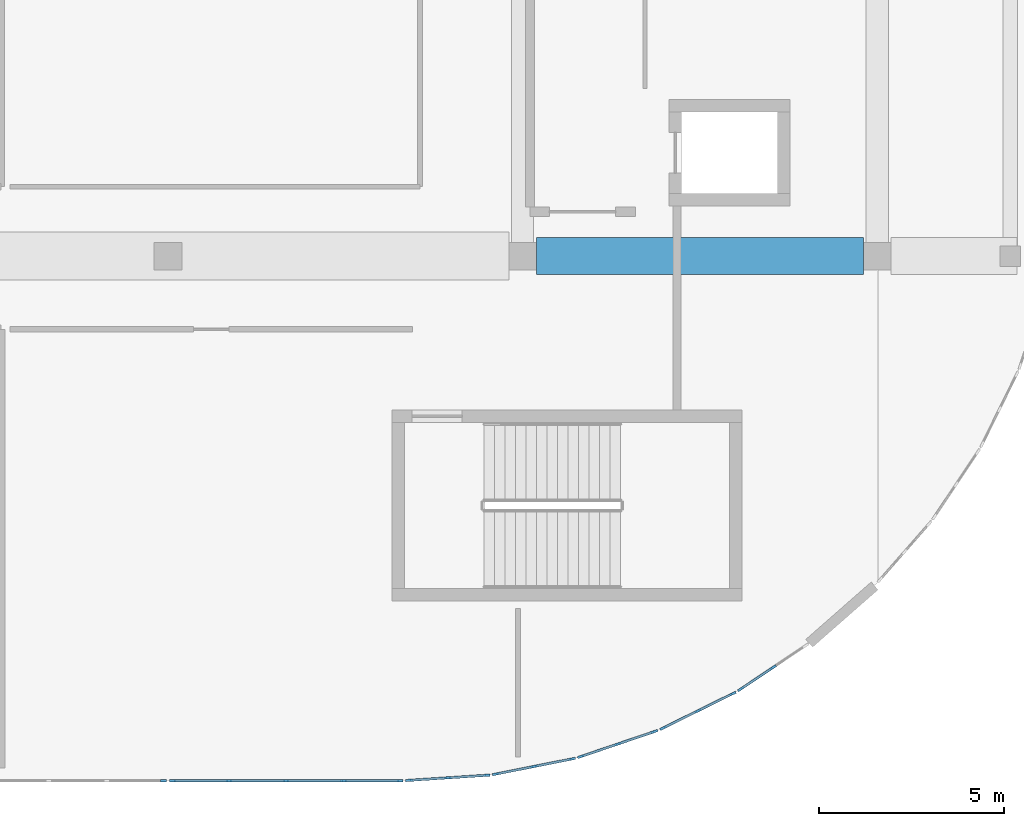
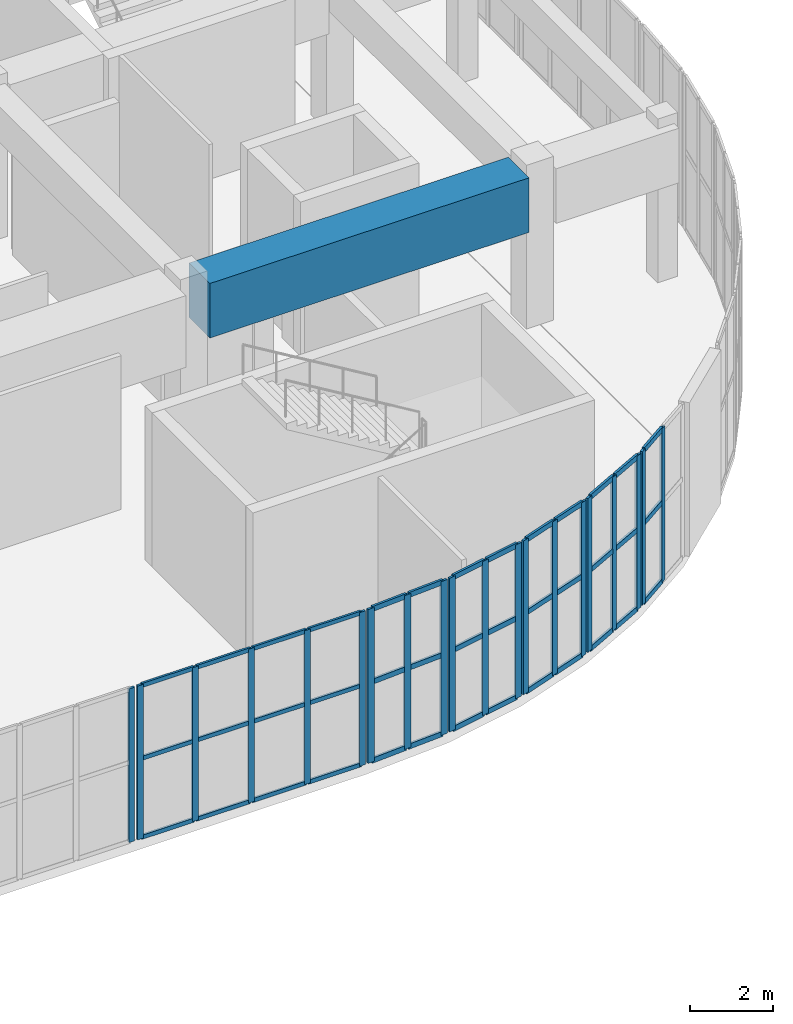
# One storey, part 7 of 28: 59 members, 1 beam, 7 elements without a shape of their own.
"""IFC4 building model written with IfcOpenShell, lengths in metres."""

from ifc_helpers import new_model, si_unit, direction, frame, origin, origin_2d, place, context, subcontext, project, spatial, rectangle, extrude, material, layer, layer_set, material_profile, profile_set, type_object, element, aggregate, save


model = new_model("IFC4")

# Units and contexts
model_context = context("Model", 3, precision=1e-05, world=origin(), true_north=direction((0.0, 1.0)))
body_context = subcontext(model_context, "Body", "Model", "MODEL_VIEW")
ifc_project = project(units=[si_unit("LENGTHUNIT", "METRE"), si_unit("AREAUNIT", "SQUARE_METRE"), si_unit("VOLUMEUNIT", "CUBIC_METRE"), si_unit("PLANEANGLEUNIT", "RADIAN"), si_unit("MASSUNIT", "GRAM", prefix="KILO")], contexts=[model_context])

# Site, building, storey
site_placement = place(None, origin())
site = spatial("IfcSite", under=ifc_project, at=site_placement, CompositionType="ELEMENT")
building_placement = place(site_placement, origin())
building = spatial("IfcBuilding", under=site, at=building_placement, Name="Cendralis Terraced Arcade", CompositionType="ELEMENT")
storey_placement = place(building_placement, frame((0.0, 0.0, 24.60009765625)))
storey = spatial("IfcBuildingStorey", under=building, at=storey_placement, Name="L05", CompositionType="ELEMENT", Elevation=24.60009765625)

# Beam
ifc_material_1 = material(Name="Concrete f'c 42 MPa", Category="concrete")
ifc_material_profile_1 = material_profile(ifc_material_1, rectangle(XDim=1.0, YDim=1.60009765625, at=origin_2d()), Name="RC-TG-1000x1600", Category="LoadBearing")
ifc_profile_set_1 = profile_set([ifc_material_profile_1], Name="Concrete f'c 42 MPa")
beam_type = type_object("IfcBeamType", Name="BM-TG-1000x1600", PredefinedType="USERDEFINED", material=ifc_profile_set_1)
beam_placement = place(storey_placement, frame((48.375, 19.199951171875, 3.7099609375), z_axis=(1.0, 0.0, 0.0), x_axis=(0.0, 1.0, 0.0)))
element("IfcBeam", 1, at=beam_placement, inside=storey, type_object=beam_type, Name="Reinforced Concrete Transfer Girder TG-L06-C-BACK", ObjectType="TRANSFER GIRDER", PredefinedType="USERDEFINED", context=body_context, shape_type="SweptSolid", body=[
    extrude(rectangle(XDim=1.0, YDim=1.60009765625, at=origin_2d()), origin(), (0.0, 0.0, 1.0), 8.85009765625),
])

# Curtain wall, members
ifc_material_2 = material(Name="Anodised aluminium EN AW-6063 T6", Category="aluminium")
ifc_layer_1 = layer(ifc_material_2, 0.179931640625, Name="CW-UNIT-A")
ifc_layer_set_1 = layer_set([ifc_layer_1], Name="Anodised aluminium EN AW-6063 T6")
curtain_wall_type_1 = type_object("IfcCurtainWallType", Name="CW-UNIT-A", PredefinedType="USERDEFINED", material=ifc_layer_set_1)
curtain_wall_1_placement = place(storey_placement, origin())
curtain_wall_1 = element("IfcCurtainWall", 2, at=curtain_wall_1_placement, inside=storey, type_object=curtain_wall_type_1, Name="Exterior Unitised Facade CW-L05-0409", ObjectType="UNITISED FACADE", PredefinedType="USERDEFINED")
ifc_material_profile_2 = material_profile(ifc_material_2, rectangle(XDim=0.06494140625, YDim=0.179931640625, at=origin_2d()), Name="ALU-MUL-65x180")
ifc_profile_set_2 = profile_set([ifc_material_profile_2], Name="Anodised aluminium EN AW-6063 T6")
member_type_1 = type_object("IfcMemberType", Name="CW-UNIT-A-MUL", PredefinedType="MULLION", material=ifc_profile_set_2)
member_1_placement = place(storey_placement, frame((54.77880859375, 8.0654296875, 0.0), z_axis=(0.0, 0.0, 1.0), x_axis=(0.555559488738, -0.831476791301, 0.0)))
member_1 = element("IfcMember", 3, at=member_1_placement, type_object=member_type_1, Name="CW-U1 mullion 2", PredefinedType="MULLION", context=body_context, shape_type="SweptSolid", body=[
    extrude(rectangle(XDim=0.06494140625, YDim=0.179931640625, at=origin_2d()), origin(), (0.0, 0.0, 1.0), 4.510009765625),
])
member_2_placement = place(storey_placement, frame((53.90185546875, 7.4794921875, 0.0), z_axis=(0.0, 0.0, 1.0), x_axis=(0.555559488738, -0.831476791301, 0.0)))
member_2 = element("IfcMember", 4, at=member_2_placement, type_object=member_type_1, Name="CW-U1 mullion 3", PredefinedType="MULLION", context=body_context, shape_type="SweptSolid", body=[
    extrude(rectangle(XDim=0.06494140625, YDim=0.179931640625, at=origin_2d()), origin(), (0.0, 0.0, 1.0), 4.510009765625),
])

curtain_wall_2_placement = place(storey_placement, origin())
curtain_wall_2 = element("IfcCurtainWall", 5, at=curtain_wall_2_placement, inside=storey, type_object=curtain_wall_type_1, Name="Exterior Unitised Facade CW-L05-0410", ObjectType="UNITISED FACADE", PredefinedType="USERDEFINED")
member_3_placement = place(storey_placement, frame((53.690185546875, 7.357421875, 0.0), z_axis=(0.0, 0.0, 1.0), x_axis=(0.442258533133, -0.896887612731, 0.0)))
member_3 = element("IfcMember", 6, at=member_3_placement, type_object=member_type_1, Name="CW-U1 mullion 1", PredefinedType="MULLION", context=body_context, shape_type="SweptSolid", body=[
    extrude(rectangle(XDim=0.06494140625, YDim=0.179931640625, at=origin_2d()), origin(), (0.0, 0.0, 1.0), 4.510009765625),
])
member_4_placement = place(storey_placement, frame((52.744140625, 6.890869140625, 0.0), z_axis=(0.0, 0.0, 1.0), x_axis=(0.442258533133, -0.896887612731, 0.0)))
member_4 = element("IfcMember", 7, at=member_4_placement, type_object=member_type_1, Name="CW-U1 mullion 2", PredefinedType="MULLION", context=body_context, shape_type="SweptSolid", body=[
    extrude(rectangle(XDim=0.06494140625, YDim=0.179931640625, at=origin_2d()), origin(), (0.0, 0.0, 1.0), 4.510009765625),
])
member_5_placement = place(storey_placement, frame((51.798095703125, 6.42431640625, 0.0), z_axis=(0.0, 0.0, 1.0), x_axis=(0.442258533133, -0.896887612731, 0.0)))
member_5 = element("IfcMember", 8, at=member_5_placement, type_object=member_type_1, Name="CW-U1 mullion 3", PredefinedType="MULLION", context=body_context, shape_type="SweptSolid", body=[
    extrude(rectangle(XDim=0.06494140625, YDim=0.179931640625, at=origin_2d()), origin(), (0.0, 0.0, 1.0), 4.510009765625),
])

curtain_wall_3_placement = place(storey_placement, origin())
curtain_wall_3 = element("IfcCurtainWall", 9, at=curtain_wall_3_placement, inside=storey, type_object=curtain_wall_type_1, Name="Exterior Unitised Facade CW-L05-0411", ObjectType="UNITISED FACADE", PredefinedType="USERDEFINED")
member_6_placement = place(storey_placement, frame((51.572265625, 6.330810546875, 0.0), z_axis=(0.0, 0.0, 1.0), x_axis=(0.321478962554, -0.946916721066, 0.0)))
member_6 = element("IfcMember", 10, at=member_6_placement, type_object=member_type_1, Name="CW-U1 mullion 1", PredefinedType="MULLION", context=body_context, shape_type="SweptSolid", body=[
    extrude(rectangle(XDim=0.06494140625, YDim=0.179931640625, at=origin_2d()), origin(), (0.0, 0.0, 1.0), 4.510009765625),
])
member_7_placement = place(storey_placement, frame((50.573486328125, 5.99169921875, 0.0), z_axis=(0.0, 0.0, 1.0), x_axis=(0.321478962554, -0.946916721066, 0.0)))
member_7 = element("IfcMember", 11, at=member_7_placement, type_object=member_type_1, Name="CW-U1 mullion 2", PredefinedType="MULLION", context=body_context, shape_type="SweptSolid", body=[
    extrude(rectangle(XDim=0.06494140625, YDim=0.179931640625, at=origin_2d()), origin(), (0.0, 0.0, 1.0), 4.510009765625),
])
member_8_placement = place(storey_placement, frame((49.57470703125, 5.652587890625, 0.0), z_axis=(0.0, 0.0, 1.0), x_axis=(0.321478962554, -0.946916721066, 0.0)))
member_8 = element("IfcMember", 12, at=member_8_placement, type_object=member_type_1, Name="CW-U1 mullion 3", PredefinedType="MULLION", context=body_context, shape_type="SweptSolid", body=[
    extrude(rectangle(XDim=0.06494140625, YDim=0.179931640625, at=origin_2d()), origin(), (0.0, 0.0, 1.0), 4.510009765625),
])

curtain_wall_4_placement = place(storey_placement, origin())
curtain_wall_4 = element("IfcCurtainWall", 13, at=curtain_wall_4_placement, inside=storey, type_object=curtain_wall_type_1, Name="Exterior Unitised Facade CW-L05-0412", ObjectType="UNITISED FACADE", PredefinedType="USERDEFINED")
member_9_placement = place(storey_placement, frame((49.338623046875, 5.58935546875, 0.0), z_axis=(0.0, 0.0, 1.0), x_axis=(0.195045853998, -0.980794124594, 0.0)))
member_9 = element("IfcMember", 14, at=member_9_placement, type_object=member_type_1, Name="CW-U1 mullion 1", PredefinedType="MULLION", context=body_context, shape_type="SweptSolid", body=[
    extrude(rectangle(XDim=0.06494140625, YDim=0.179931640625, at=origin_2d()), origin(), (0.0, 0.0, 1.0), 4.510009765625),
])
member_10_placement = place(storey_placement, frame((48.30419921875, 5.383544921875, 0.0), z_axis=(0.0, 0.0, 1.0), x_axis=(0.195045853998, -0.980794124594, 0.0)))
member_10 = element("IfcMember", 15, at=member_10_placement, type_object=member_type_1, Name="CW-U1 mullion 2", PredefinedType="MULLION", context=body_context, shape_type="SweptSolid", body=[
    extrude(rectangle(XDim=0.06494140625, YDim=0.179931640625, at=origin_2d()), origin(), (0.0, 0.0, 1.0), 4.510009765625),
])
member_11_placement = place(storey_placement, frame((47.269775390625, 5.177978515625, 0.0), z_axis=(0.0, 0.0, 1.0), x_axis=(0.195045853998, -0.980794124594, 0.0)))
member_11 = element("IfcMember", 16, at=member_11_placement, type_object=member_type_1, Name="CW-U1 mullion 3", PredefinedType="MULLION", context=body_context, shape_type="SweptSolid", body=[
    extrude(rectangle(XDim=0.06494140625, YDim=0.179931640625, at=origin_2d()), origin(), (0.0, 0.0, 1.0), 4.510009765625),
])

curtain_wall_5_placement = place(storey_placement, origin())
curtain_wall_5 = element("IfcCurtainWall", 17, at=curtain_wall_5_placement, inside=storey, type_object=curtain_wall_type_1, Name="Exterior Unitised Facade CW-L05-0413", ObjectType="UNITISED FACADE", PredefinedType="USERDEFINED")
member_12_placement = place(storey_placement, frame((47.02734375, 5.14599609375, 0.0), z_axis=(0.0, 0.0, 1.0), x_axis=(0.065392707503, -0.99785960626, 0.0)))
member_12 = element("IfcMember", 18, at=member_12_placement, type_object=member_type_1, Name="CW-U1 mullion 1", PredefinedType="MULLION", context=body_context, shape_type="SweptSolid", body=[
    extrude(rectangle(XDim=0.06494140625, YDim=0.179931640625, at=origin_2d()), origin(), (0.0, 0.0, 1.0), 4.510009765625),
])
member_13_placement = place(storey_placement, frame((45.974853515625, 5.076904296875, 0.0), z_axis=(0.0, 0.0, 1.0), x_axis=(0.065392707503, -0.99785960626, 0.0)))
member_13 = element("IfcMember", 19, at=member_13_placement, type_object=member_type_1, Name="CW-U1 mullion 2", PredefinedType="MULLION", context=body_context, shape_type="SweptSolid", body=[
    extrude(rectangle(XDim=0.06494140625, YDim=0.179931640625, at=origin_2d()), origin(), (0.0, 0.0, 1.0), 4.510009765625),
])
member_14_placement = place(storey_placement, frame((44.922119140625, 5.008056640625, 0.0), z_axis=(0.0, 0.0, 1.0), x_axis=(0.065392707503, -0.99785960626, 0.0)))
member_14 = element("IfcMember", 20, at=member_14_placement, type_object=member_type_1, Name="CW-U1 mullion 3", PredefinedType="MULLION", context=body_context, shape_type="SweptSolid", body=[
    extrude(rectangle(XDim=0.06494140625, YDim=0.179931640625, at=origin_2d()), origin(), (0.0, 0.0, 1.0), 4.510009765625),
])

# Member
ifc_material_profile_3 = material_profile(ifc_material_2, rectangle(XDim=0.06494140625, YDim=0.14990234375, at=origin_2d()), Name="ALU-TRN-65x150")
ifc_profile_set_3 = profile_set([ifc_material_profile_3], Name="Anodised aluminium EN AW-6063 T6")
member_type_2 = type_object("IfcMemberType", Name="CW-UNIT-A-TRN", PredefinedType="USERDEFINED", material=ifc_profile_set_3)
member_15_placement = place(storey_placement, frame((54.751708984375, 8.047607421875, 0.032470703125), z_axis=(-0.831328512031, -0.55578134647, 0.0), x_axis=(0.55578134647, -0.831328512031, 0.0)))
member_15 = element("IfcMember", 21, at=member_15_placement, type_object=member_type_2, Name="CW-U1 transom 2.1", ObjectType="TRANSOM", PredefinedType="USERDEFINED", context=body_context, shape_type="SweptSolid", body=[
    extrude(rectangle(XDim=0.06494140625, YDim=0.14990234375, at=origin_2d()), origin(), (0.0, 0.0, 1.0), 0.98974609375),
])

member_16_placement = place(storey_placement, frame((54.751708984375, 8.047607421875, 2.34521484375), z_axis=(-0.831328512031, -0.55578134647, 0.0), x_axis=(0.55578134647, -0.831328512031, 0.0)))
member_16 = element("IfcMember", 22, at=member_16_placement, type_object=member_type_2, Name="CW-U1 transom 2.2", ObjectType="TRANSOM", PredefinedType="USERDEFINED", context=body_context, shape_type="SweptSolid", body=[
    extrude(rectangle(XDim=0.06494140625, YDim=0.14990234375, at=origin_2d()), origin(), (0.0, 0.0, 1.0), 0.98974609375),
])

member_17_placement = place(storey_placement, frame((54.751708984375, 8.047607421875, 4.477294921875), z_axis=(-0.831328512031, -0.55578134647, 0.0), x_axis=(0.55578134647, -0.831328512031, 0.0)))
member_17 = element("IfcMember", 23, at=member_17_placement, type_object=member_type_2, Name="CW-U1 transom 2.3", ObjectType="TRANSOM", PredefinedType="USERDEFINED", context=body_context, shape_type="SweptSolid", body=[
    extrude(rectangle(XDim=0.06494140625, YDim=0.14990234375, at=origin_2d()), origin(), (0.0, 0.0, 1.0), 0.98974609375),
])

aggregate(curtain_wall_1, [member_1, member_2, member_15, member_16, member_17])

member_18_placement = place(storey_placement, frame((53.660888671875, 7.343017578125, 0.032470703125), z_axis=(-0.89688025302, -0.442273458104, 0.0), x_axis=(0.442273458104, -0.89688025302, 0.0)))
member_18 = element("IfcMember", 24, at=member_18_placement, type_object=member_type_2, Name="CW-U1 transom 1.1", ObjectType="TRANSOM", PredefinedType="USERDEFINED", context=body_context, shape_type="SweptSolid", body=[
    extrude(rectangle(XDim=0.06494140625, YDim=0.14990234375, at=origin_2d()), origin(), (0.0, 0.0, 1.0), 0.98974609375),
])

member_19_placement = place(storey_placement, frame((53.660888671875, 7.343017578125, 2.34521484375), z_axis=(-0.89688025302, -0.442273458104, 0.0), x_axis=(0.442273458104, -0.89688025302, 0.0)))
member_19 = element("IfcMember", 25, at=member_19_placement, type_object=member_type_2, Name="CW-U1 transom 1.2", ObjectType="TRANSOM", PredefinedType="USERDEFINED", context=body_context, shape_type="SweptSolid", body=[
    extrude(rectangle(XDim=0.06494140625, YDim=0.14990234375, at=origin_2d()), origin(), (0.0, 0.0, 1.0), 0.98974609375),
])

member_20_placement = place(storey_placement, frame((53.660888671875, 7.343017578125, 4.477294921875), z_axis=(-0.89688025302, -0.442273458104, 0.0), x_axis=(0.442273458104, -0.89688025302, 0.0)))
member_20 = element("IfcMember", 26, at=member_20_placement, type_object=member_type_2, Name="CW-U1 transom 1.3", ObjectType="TRANSOM", PredefinedType="USERDEFINED", context=body_context, shape_type="SweptSolid", body=[
    extrude(rectangle(XDim=0.06494140625, YDim=0.14990234375, at=origin_2d()), origin(), (0.0, 0.0, 1.0), 0.98974609375),
])

member_21_placement = place(storey_placement, frame((52.715087890625, 6.87646484375, 0.032470703125), z_axis=(-0.89688025302, -0.442273458104, 0.0), x_axis=(0.442273458104, -0.89688025302, 0.0)))
member_21 = element("IfcMember", 27, at=member_21_placement, type_object=member_type_2, Name="CW-U1 transom 2.1", ObjectType="TRANSOM", PredefinedType="USERDEFINED", context=body_context, shape_type="SweptSolid", body=[
    extrude(rectangle(XDim=0.06494140625, YDim=0.14990234375, at=origin_2d()), origin(), (0.0, 0.0, 1.0), 0.98974609375),
])

member_22_placement = place(storey_placement, frame((52.715087890625, 6.87646484375, 2.34521484375), z_axis=(-0.89688025302, -0.442273458104, 0.0), x_axis=(0.442273458104, -0.89688025302, 0.0)))
member_22 = element("IfcMember", 28, at=member_22_placement, type_object=member_type_2, Name="CW-U1 transom 2.2", ObjectType="TRANSOM", PredefinedType="USERDEFINED", context=body_context, shape_type="SweptSolid", body=[
    extrude(rectangle(XDim=0.06494140625, YDim=0.14990234375, at=origin_2d()), origin(), (0.0, 0.0, 1.0), 0.98974609375),
])

member_23_placement = place(storey_placement, frame((52.715087890625, 6.87646484375, 4.477294921875), z_axis=(-0.89688025302, -0.442273458104, 0.0), x_axis=(0.442273458104, -0.89688025302, 0.0)))
member_23 = element("IfcMember", 29, at=member_23_placement, type_object=member_type_2, Name="CW-U1 transom 2.3", ObjectType="TRANSOM", PredefinedType="USERDEFINED", context=body_context, shape_type="SweptSolid", body=[
    extrude(rectangle(XDim=0.06494140625, YDim=0.14990234375, at=origin_2d()), origin(), (0.0, 0.0, 1.0), 0.98974609375),
])

aggregate(curtain_wall_2, [member_3, member_4, member_5, member_18, member_19, member_20, member_21, member_22, member_23])

member_24_placement = place(storey_placement, frame((51.54150390625, 6.3203125, 0.032470703125), z_axis=(-0.946942509421, -0.321402992909, 0.0), x_axis=(0.321402992909, -0.946942509421, 0.0)))
member_24 = element("IfcMember", 30, at=member_24_placement, type_object=member_type_2, Name="CW-U1 transom 1.1", ObjectType="TRANSOM", PredefinedType="USERDEFINED", context=body_context, shape_type="SweptSolid", body=[
    extrude(rectangle(XDim=0.06494140625, YDim=0.14990234375, at=origin_2d()), origin(), (0.0, 0.0, 1.0), 0.98974609375),
])

member_25_placement = place(storey_placement, frame((51.54150390625, 6.3203125, 2.34521484375), z_axis=(-0.946942509421, -0.321402992909, 0.0), x_axis=(0.321402992909, -0.946942509421, 0.0)))
member_25 = element("IfcMember", 31, at=member_25_placement, type_object=member_type_2, Name="CW-U1 transom 1.2", ObjectType="TRANSOM", PredefinedType="USERDEFINED", context=body_context, shape_type="SweptSolid", body=[
    extrude(rectangle(XDim=0.06494140625, YDim=0.14990234375, at=origin_2d()), origin(), (0.0, 0.0, 1.0), 0.98974609375),
])

member_26_placement = place(storey_placement, frame((51.54150390625, 6.3203125, 4.477294921875), z_axis=(-0.946942509421, -0.321402992909, 0.0), x_axis=(0.321402992909, -0.946942509421, 0.0)))
member_26 = element("IfcMember", 32, at=member_26_placement, type_object=member_type_2, Name="CW-U1 transom 1.3", ObjectType="TRANSOM", PredefinedType="USERDEFINED", context=body_context, shape_type="SweptSolid", body=[
    extrude(rectangle(XDim=0.06494140625, YDim=0.14990234375, at=origin_2d()), origin(), (0.0, 0.0, 1.0), 0.98974609375),
])

member_27_placement = place(storey_placement, frame((50.542724609375, 5.981201171875, 0.032470703125), z_axis=(-0.946942509421, -0.321402992909, 0.0), x_axis=(0.321402992909, -0.946942509421, 0.0)))
member_27 = element("IfcMember", 33, at=member_27_placement, type_object=member_type_2, Name="CW-U1 transom 2.1", ObjectType="TRANSOM", PredefinedType="USERDEFINED", context=body_context, shape_type="SweptSolid", body=[
    extrude(rectangle(XDim=0.06494140625, YDim=0.14990234375, at=origin_2d()), origin(), (0.0, 0.0, 1.0), 0.98974609375),
])

member_28_placement = place(storey_placement, frame((50.542724609375, 5.981201171875, 2.34521484375), z_axis=(-0.946942509421, -0.321402992909, 0.0), x_axis=(0.321402992909, -0.946942509421, 0.0)))
member_28 = element("IfcMember", 34, at=member_28_placement, type_object=member_type_2, Name="CW-U1 transom 2.2", ObjectType="TRANSOM", PredefinedType="USERDEFINED", context=body_context, shape_type="SweptSolid", body=[
    extrude(rectangle(XDim=0.06494140625, YDim=0.14990234375, at=origin_2d()), origin(), (0.0, 0.0, 1.0), 0.98974609375),
])

member_29_placement = place(storey_placement, frame((50.542724609375, 5.981201171875, 4.477294921875), z_axis=(-0.946942509421, -0.321402992909, 0.0), x_axis=(0.321402992909, -0.946942509421, 0.0)))
member_29 = element("IfcMember", 35, at=member_29_placement, type_object=member_type_2, Name="CW-U1 transom 2.3", ObjectType="TRANSOM", PredefinedType="USERDEFINED", context=body_context, shape_type="SweptSolid", body=[
    extrude(rectangle(XDim=0.06494140625, YDim=0.14990234375, at=origin_2d()), origin(), (0.0, 0.0, 1.0), 0.98974609375),
])

aggregate(curtain_wall_3, [member_6, member_7, member_8, member_24, member_25, member_26, member_27, member_28, member_29])

member_30_placement = place(storey_placement, frame((49.306640625, 5.5830078125, 0.032470703125), z_axis=(-0.98077940709, -0.195119846833, 0.0), x_axis=(0.195119846833, -0.98077940709, 0.0)))
member_30 = element("IfcMember", 36, at=member_30_placement, type_object=member_type_2, Name="CW-U1 transom 1.1", ObjectType="TRANSOM", PredefinedType="USERDEFINED", context=body_context, shape_type="SweptSolid", body=[
    extrude(rectangle(XDim=0.06494140625, YDim=0.14990234375, at=origin_2d()), origin(), (0.0, 0.0, 1.0), 0.98974609375),
])

member_31_placement = place(storey_placement, frame((49.306640625, 5.5830078125, 2.34521484375), z_axis=(-0.98077940709, -0.195119846833, 0.0), x_axis=(0.195119846833, -0.98077940709, 0.0)))
member_31 = element("IfcMember", 37, at=member_31_placement, type_object=member_type_2, Name="CW-U1 transom 1.2", ObjectType="TRANSOM", PredefinedType="USERDEFINED", context=body_context, shape_type="SweptSolid", body=[
    extrude(rectangle(XDim=0.06494140625, YDim=0.14990234375, at=origin_2d()), origin(), (0.0, 0.0, 1.0), 0.98974609375),
])

member_32_placement = place(storey_placement, frame((49.306640625, 5.5830078125, 4.477294921875), z_axis=(-0.98077940709, -0.195119846833, 0.0), x_axis=(0.195119846833, -0.98077940709, 0.0)))
member_32 = element("IfcMember", 38, at=member_32_placement, type_object=member_type_2, Name="CW-U1 transom 1.3", ObjectType="TRANSOM", PredefinedType="USERDEFINED", context=body_context, shape_type="SweptSolid", body=[
    extrude(rectangle(XDim=0.06494140625, YDim=0.14990234375, at=origin_2d()), origin(), (0.0, 0.0, 1.0), 0.98974609375),
])

member_33_placement = place(storey_placement, frame((48.272216796875, 5.377197265625, 0.032470703125), z_axis=(-0.980826586714, -0.194882546153, 0.0), x_axis=(0.194882546153, -0.980826586714, 0.0)))
member_33 = element("IfcMember", 39, at=member_33_placement, type_object=member_type_2, Name="CW-U1 transom 2.1", ObjectType="TRANSOM", PredefinedType="USERDEFINED", context=body_context, shape_type="SweptSolid", body=[
    extrude(rectangle(XDim=0.06494140625, YDim=0.14990234375, at=origin_2d()), origin(), (0.0, 0.0, 1.0), 0.98974609375),
])

member_34_placement = place(storey_placement, frame((48.272216796875, 5.377197265625, 2.34521484375), z_axis=(-0.980826586714, -0.194882546153, 0.0), x_axis=(0.194882546153, -0.980826586714, 0.0)))
member_34 = element("IfcMember", 40, at=member_34_placement, type_object=member_type_2, Name="CW-U1 transom 2.2", ObjectType="TRANSOM", PredefinedType="USERDEFINED", context=body_context, shape_type="SweptSolid", body=[
    extrude(rectangle(XDim=0.06494140625, YDim=0.14990234375, at=origin_2d()), origin(), (0.0, 0.0, 1.0), 0.98974609375),
])

member_35_placement = place(storey_placement, frame((48.272216796875, 5.377197265625, 4.477294921875), z_axis=(-0.980826586714, -0.194882546153, 0.0), x_axis=(0.194882546153, -0.980826586714, 0.0)))
member_35 = element("IfcMember", 41, at=member_35_placement, type_object=member_type_2, Name="CW-U1 transom 2.3", ObjectType="TRANSOM", PredefinedType="USERDEFINED", context=body_context, shape_type="SweptSolid", body=[
    extrude(rectangle(XDim=0.06494140625, YDim=0.14990234375, at=origin_2d()), origin(), (0.0, 0.0, 1.0), 0.98974609375),
])

aggregate(curtain_wall_4, [member_9, member_10, member_11, member_30, member_31, member_32, member_33, member_34, member_35])

member_36_placement = place(storey_placement, frame((46.994873046875, 5.143798828125, 0.032470703125), z_axis=(-0.997861961859, -0.065356752321, 0.0), x_axis=(0.065356752321, -0.997861961859, 0.0)))
member_36 = element("IfcMember", 42, at=member_36_placement, type_object=member_type_2, Name="CW-U1 transom 1.1", ObjectType="TRANSOM", PredefinedType="USERDEFINED", context=body_context, shape_type="SweptSolid", body=[
    extrude(rectangle(XDim=0.06494140625, YDim=0.14990234375, at=origin_2d()), origin(), (0.0, 0.0, 1.0), 0.989990234375),
])

member_37_placement = place(storey_placement, frame((46.994873046875, 5.143798828125, 2.34521484375), z_axis=(-0.997861961859, -0.065356752321, 0.0), x_axis=(0.065356752321, -0.997861961859, 0.0)))
member_37 = element("IfcMember", 43, at=member_37_placement, type_object=member_type_2, Name="CW-U1 transom 1.2", ObjectType="TRANSOM", PredefinedType="USERDEFINED", context=body_context, shape_type="SweptSolid", body=[
    extrude(rectangle(XDim=0.06494140625, YDim=0.14990234375, at=origin_2d()), origin(), (0.0, 0.0, 1.0), 0.989990234375),
])

member_38_placement = place(storey_placement, frame((46.994873046875, 5.143798828125, 4.477294921875), z_axis=(-0.997861961859, -0.065356752321, 0.0), x_axis=(0.065356752321, -0.997861961859, 0.0)))
member_38 = element("IfcMember", 44, at=member_38_placement, type_object=member_type_2, Name="CW-U1 transom 1.3", ObjectType="TRANSOM", PredefinedType="USERDEFINED", context=body_context, shape_type="SweptSolid", body=[
    extrude(rectangle(XDim=0.06494140625, YDim=0.14990234375, at=origin_2d()), origin(), (0.0, 0.0, 1.0), 0.989990234375),
])

member_39_placement = place(storey_placement, frame((45.9423828125, 5.074951171875, 0.032470703125), z_axis=(-0.997861961859, -0.065356752321, 0.0), x_axis=(0.065356752321, -0.997861961859, 0.0)))
member_39 = element("IfcMember", 45, at=member_39_placement, type_object=member_type_2, Name="CW-U1 transom 2.1", ObjectType="TRANSOM", PredefinedType="USERDEFINED", context=body_context, shape_type="SweptSolid", body=[
    extrude(rectangle(XDim=0.06494140625, YDim=0.14990234375, at=origin_2d()), origin(), (0.0, 0.0, 1.0), 0.989990234375),
])

member_40_placement = place(storey_placement, frame((45.9423828125, 5.074951171875, 2.34521484375), z_axis=(-0.997861961859, -0.065356752321, 0.0), x_axis=(0.065356752321, -0.997861961859, 0.0)))
member_40 = element("IfcMember", 46, at=member_40_placement, type_object=member_type_2, Name="CW-U1 transom 2.2", ObjectType="TRANSOM", PredefinedType="USERDEFINED", context=body_context, shape_type="SweptSolid", body=[
    extrude(rectangle(XDim=0.06494140625, YDim=0.14990234375, at=origin_2d()), origin(), (0.0, 0.0, 1.0), 0.989990234375),
])

member_41_placement = place(storey_placement, frame((45.9423828125, 5.074951171875, 4.477294921875), z_axis=(-0.997861961859, -0.065356752321, 0.0), x_axis=(0.065356752321, -0.997861961859, 0.0)))
member_41 = element("IfcMember", 47, at=member_41_placement, type_object=member_type_2, Name="CW-U1 transom 2.3", ObjectType="TRANSOM", PredefinedType="USERDEFINED", context=body_context, shape_type="SweptSolid", body=[
    extrude(rectangle(XDim=0.06494140625, YDim=0.14990234375, at=origin_2d()), origin(), (0.0, 0.0, 1.0), 0.989990234375),
])

aggregate(curtain_wall_5, [member_12, member_13, member_14, member_36, member_37, member_38, member_39, member_40, member_41])

# Curtain wall, members
ifc_layer_2 = layer(ifc_material_2, 0.159912109375, Name="CW-UNIT-B")
ifc_layer_set_2 = layer_set([ifc_layer_2], Name="Anodised aluminium EN AW-6063 T6")
curtain_wall_type_2 = type_object("IfcCurtainWallType", Name="CW-UNIT-B", PredefinedType="USERDEFINED", material=ifc_layer_set_2)
curtain_wall_6_placement = place(storey_placement, origin())
curtain_wall_6 = element("IfcCurtainWall", 48, at=curtain_wall_6_placement, inside=storey, type_object=curtain_wall_type_2, Name="Exterior Unitised Facade CW-L05-0414", ObjectType="UNITISED FACADE", PredefinedType="USERDEFINED")
ifc_material_profile_4 = material_profile(ifc_material_2, rectangle(XDim=0.06494140625, YDim=0.159912109375, at=origin_2d()), Name="ALU-MUL-65x160")
ifc_profile_set_4 = profile_set([ifc_material_profile_4], Name="Anodised aluminium EN AW-6063 T6")
member_type_3 = type_object("IfcMemberType", Name="CW-UNIT-B-MUL", PredefinedType="MULLION", material=ifc_profile_set_4)
member_42_placement = place(storey_placement, frame((44.677490234375, 5.0, 0.0), z_axis=(0.0, 0.0, 1.0), x_axis=(0.0, -1.0, 0.0)))
member_42 = element("IfcMember", 49, at=member_42_placement, type_object=member_type_3, Name="CW-U2 mullion 1", PredefinedType="MULLION", context=body_context, shape_type="SweptSolid", body=[
    extrude(rectangle(XDim=0.06494140625, YDim=0.159912109375, at=origin_2d()), origin(), (0.0, 0.0, 1.0), 4.510009765625),
])
member_43_placement = place(storey_placement, frame((43.155029296875, 5.0, 0.0), z_axis=(0.0, 0.0, 1.0), x_axis=(0.0, -1.0, 0.0)))
member_43 = element("IfcMember", 50, at=member_43_placement, type_object=member_type_3, Name="CW-U2 mullion 2", PredefinedType="MULLION", context=body_context, shape_type="SweptSolid", body=[
    extrude(rectangle(XDim=0.06494140625, YDim=0.159912109375, at=origin_2d()), origin(), (0.0, 0.0, 1.0), 4.510009765625),
])
member_44_placement = place(storey_placement, frame((41.60009765625, 5.0, 0.0), z_axis=(0.0, 0.0, 1.0), x_axis=(0.0, -1.0, 0.0)))
member_44 = element("IfcMember", 51, at=member_44_placement, type_object=member_type_3, Name="CW-U2 mullion 3", PredefinedType="MULLION", context=body_context, shape_type="SweptSolid", body=[
    extrude(rectangle(XDim=0.06494140625, YDim=0.159912109375, at=origin_2d()), origin(), (0.0, 0.0, 1.0), 4.510009765625),
])
member_45_placement = place(storey_placement, frame((40.044921875, 5.0, 0.0), z_axis=(0.0, 0.0, 1.0), x_axis=(0.0, -1.0, 0.0)))
member_45 = element("IfcMember", 52, at=member_45_placement, type_object=member_type_3, Name="CW-U2 mullion 4", PredefinedType="MULLION", context=body_context, shape_type="SweptSolid", body=[
    extrude(rectangle(XDim=0.06494140625, YDim=0.159912109375, at=origin_2d()), origin(), (0.0, 0.0, 1.0), 4.510009765625),
])
member_46_placement = place(storey_placement, frame((38.5224609375, 5.0, 0.0), z_axis=(0.0, 0.0, 1.0), x_axis=(0.0, -1.0, 0.0)))
member_46 = element("IfcMember", 53, at=member_46_placement, type_object=member_type_3, Name="CW-U2 mullion 5", PredefinedType="MULLION", context=body_context, shape_type="SweptSolid", body=[
    extrude(rectangle(XDim=0.06494140625, YDim=0.159912109375, at=origin_2d()), origin(), (0.0, 0.0, 1.0), 4.510009765625),
])

# Curtain wall, member
curtain_wall_7_placement = place(storey_placement, origin())
curtain_wall_7 = element("IfcCurtainWall", 54, at=curtain_wall_7_placement, inside=storey, type_object=curtain_wall_type_2, Name="Exterior Unitised Facade CW-L05-0415", ObjectType="UNITISED FACADE", PredefinedType="USERDEFINED")
member_47_placement = place(storey_placement, frame((38.277587890625, 5.0, 0.0), z_axis=(0.0, 0.0, 1.0), x_axis=(0.0, -1.0, 0.0)))
member_47 = element("IfcMember", 55, at=member_47_placement, type_object=member_type_3, Name="CW-U2 mullion 1", PredefinedType="MULLION", context=body_context, shape_type="SweptSolid", body=[
    extrude(rectangle(XDim=0.06494140625, YDim=0.159912109375, at=origin_2d()), origin(), (0.0, 0.0, 1.0), 4.510009765625),
])
aggregate(curtain_wall_7, [member_47])

# Member
ifc_material_profile_5 = material_profile(ifc_material_2, rectangle(XDim=0.06005859375, YDim=0.1201171875, at=origin_2d()), Name="ALU-TRN-60x120")
ifc_profile_set_5 = profile_set([ifc_material_profile_5], Name="Anodised aluminium EN AW-6063 T6")
member_type_4 = type_object("IfcMemberType", Name="CW-UNIT-B-TRN", PredefinedType="USERDEFINED", material=ifc_profile_set_5)
member_48_placement = place(storey_placement, frame((44.64501953125, 5.0, 0.02978515625), z_axis=(-1.0, 0.0, 0.0), x_axis=(0.0, -1.0, 0.0)))
member_48 = element("IfcMember", 56, at=member_48_placement, type_object=member_type_4, Name="CW-U2 transom 1.1", ObjectType="TRANSOM", PredefinedType="USERDEFINED", context=body_context, shape_type="SweptSolid", body=[
    extrude(rectangle(XDim=0.06005859375, YDim=0.1201171875, at=origin_2d()), origin(), (0.0, 0.0, 1.0), 1.45751953125),
])

member_49_placement = place(storey_placement, frame((44.64501953125, 5.0, 2.34521484375), z_axis=(-1.0, 0.0, 0.0), x_axis=(0.0, -1.0, 0.0)))
member_49 = element("IfcMember", 57, at=member_49_placement, type_object=member_type_4, Name="CW-U2 transom 1.2", ObjectType="TRANSOM", PredefinedType="USERDEFINED", context=body_context, shape_type="SweptSolid", body=[
    extrude(rectangle(XDim=0.06005859375, YDim=0.1201171875, at=origin_2d()), origin(), (0.0, 0.0, 1.0), 1.45751953125),
])

member_50_placement = place(storey_placement, frame((44.64501953125, 5.0, 4.47998046875), z_axis=(-1.0, 0.0, 0.0), x_axis=(0.0, -1.0, 0.0)))
member_50 = element("IfcMember", 58, at=member_50_placement, type_object=member_type_4, Name="CW-U2 transom 1.3", ObjectType="TRANSOM", PredefinedType="USERDEFINED", context=body_context, shape_type="SweptSolid", body=[
    extrude(rectangle(XDim=0.06005859375, YDim=0.1201171875, at=origin_2d()), origin(), (0.0, 0.0, 1.0), 1.45751953125),
])

member_51_placement = place(storey_placement, frame((43.12255859375, 5.0, 0.02978515625), z_axis=(-1.0, 0.0, 0.0), x_axis=(0.0, -1.0, 0.0)))
member_51 = element("IfcMember", 59, at=member_51_placement, type_object=member_type_4, Name="CW-U2 transom 2.1", ObjectType="TRANSOM", PredefinedType="USERDEFINED", context=body_context, shape_type="SweptSolid", body=[
    extrude(rectangle(XDim=0.06005859375, YDim=0.1201171875, at=origin_2d()), origin(), (0.0, 0.0, 1.0), 1.489990234375),
])

member_52_placement = place(storey_placement, frame((43.12255859375, 5.0, 2.34521484375), z_axis=(-1.0, 0.0, 0.0), x_axis=(0.0, -1.0, 0.0)))
member_52 = element("IfcMember", 60, at=member_52_placement, type_object=member_type_4, Name="CW-U2 transom 2.2", ObjectType="TRANSOM", PredefinedType="USERDEFINED", context=body_context, shape_type="SweptSolid", body=[
    extrude(rectangle(XDim=0.06005859375, YDim=0.1201171875, at=origin_2d()), origin(), (0.0, 0.0, 1.0), 1.489990234375),
])

member_53_placement = place(storey_placement, frame((43.12255859375, 5.0, 4.47998046875), z_axis=(-1.0, 0.0, 0.0), x_axis=(0.0, -1.0, 0.0)))
member_53 = element("IfcMember", 61, at=member_53_placement, type_object=member_type_4, Name="CW-U2 transom 2.3", ObjectType="TRANSOM", PredefinedType="USERDEFINED", context=body_context, shape_type="SweptSolid", body=[
    extrude(rectangle(XDim=0.06005859375, YDim=0.1201171875, at=origin_2d()), origin(), (0.0, 0.0, 1.0), 1.489990234375),
])

member_54_placement = place(storey_placement, frame((41.5673828125, 5.0, 0.02978515625), z_axis=(-1.0, 0.0, 0.0), x_axis=(0.0, -1.0, 0.0)))
member_54 = element("IfcMember", 62, at=member_54_placement, type_object=member_type_4, Name="CW-U2 transom 3.1", ObjectType="TRANSOM", PredefinedType="USERDEFINED", context=body_context, shape_type="SweptSolid", body=[
    extrude(rectangle(XDim=0.06005859375, YDim=0.1201171875, at=origin_2d()), origin(), (0.0, 0.0, 1.0), 1.489990234375),
])

member_55_placement = place(storey_placement, frame((41.5673828125, 5.0, 2.34521484375), z_axis=(-1.0, 0.0, 0.0), x_axis=(0.0, -1.0, 0.0)))
member_55 = element("IfcMember", 63, at=member_55_placement, type_object=member_type_4, Name="CW-U2 transom 3.2", ObjectType="TRANSOM", PredefinedType="USERDEFINED", context=body_context, shape_type="SweptSolid", body=[
    extrude(rectangle(XDim=0.06005859375, YDim=0.1201171875, at=origin_2d()), origin(), (0.0, 0.0, 1.0), 1.489990234375),
])

member_56_placement = place(storey_placement, frame((41.5673828125, 5.0, 4.47998046875), z_axis=(-1.0, 0.0, 0.0), x_axis=(0.0, -1.0, 0.0)))
member_56 = element("IfcMember", 64, at=member_56_placement, type_object=member_type_4, Name="CW-U2 transom 3.3", ObjectType="TRANSOM", PredefinedType="USERDEFINED", context=body_context, shape_type="SweptSolid", body=[
    extrude(rectangle(XDim=0.06005859375, YDim=0.1201171875, at=origin_2d()), origin(), (0.0, 0.0, 1.0), 1.489990234375),
])

member_57_placement = place(storey_placement, frame((40.012451171875, 5.0, 0.02978515625), z_axis=(-1.0, 0.0, 0.0), x_axis=(0.0, -1.0, 0.0)))
member_57 = element("IfcMember", 65, at=member_57_placement, type_object=member_type_4, Name="CW-U2 transom 4.1", ObjectType="TRANSOM", PredefinedType="USERDEFINED", context=body_context, shape_type="SweptSolid", body=[
    extrude(rectangle(XDim=0.06005859375, YDim=0.1201171875, at=origin_2d()), origin(), (0.0, 0.0, 1.0), 1.45751953125),
])

member_58_placement = place(storey_placement, frame((40.012451171875, 5.0, 2.34521484375), z_axis=(-1.0, 0.0, 0.0), x_axis=(0.0, -1.0, 0.0)))
member_58 = element("IfcMember", 66, at=member_58_placement, type_object=member_type_4, Name="CW-U2 transom 4.2", ObjectType="TRANSOM", PredefinedType="USERDEFINED", context=body_context, shape_type="SweptSolid", body=[
    extrude(rectangle(XDim=0.06005859375, YDim=0.1201171875, at=origin_2d()), origin(), (0.0, 0.0, 1.0), 1.45751953125),
])

member_59_placement = place(storey_placement, frame((40.012451171875, 5.0, 4.47998046875), z_axis=(-1.0, 0.0, 0.0), x_axis=(0.0, -1.0, 0.0)))
member_59 = element("IfcMember", 67, at=member_59_placement, type_object=member_type_4, Name="CW-U2 transom 4.3", ObjectType="TRANSOM", PredefinedType="USERDEFINED", context=body_context, shape_type="SweptSolid", body=[
    extrude(rectangle(XDim=0.06005859375, YDim=0.1201171875, at=origin_2d()), origin(), (0.0, 0.0, 1.0), 1.45751953125),
])

aggregate(curtain_wall_6, [member_42, member_43, member_44, member_45, member_46, member_48, member_49, member_50, member_51, member_52, member_53, member_54, member_55, member_56, member_57, member_58, member_59])

save(model, "model.ifc")
